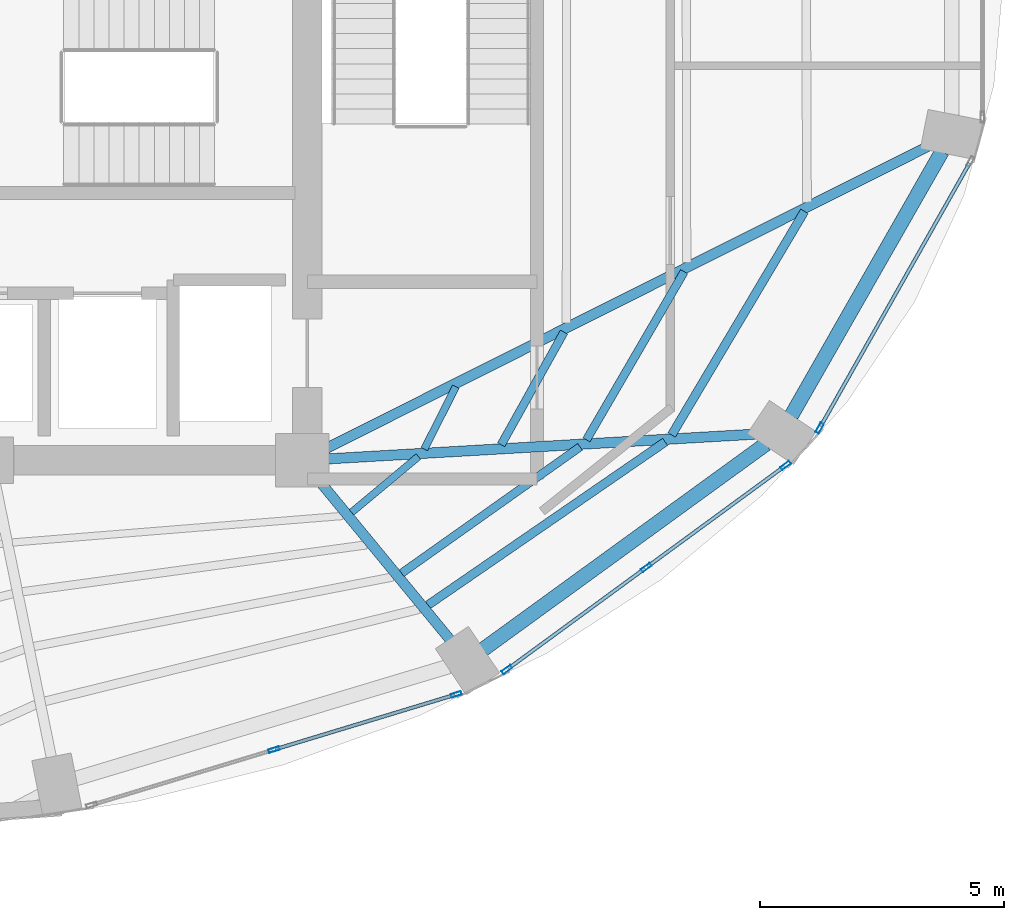
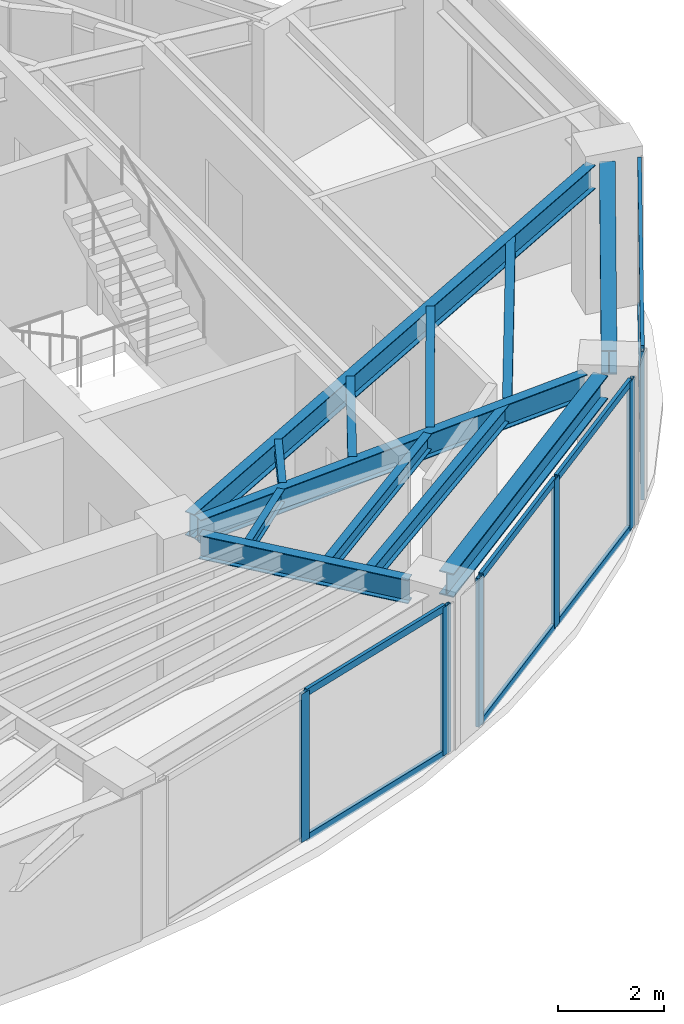
# One storey, part 9 of 19: 14 members, 12 beams, 3 elements without a shape of their own.
"""IFC4 building model written with IfcOpenShell, lengths in metres."""

import ifcopenshell
import ifcopenshell.guid

model = None  # the IFC model being written
_history = None  # IfcOwnerHistory: only IFC2X3 demands one
_inside = {}  # id of a spatial element -> (the spatial element, [elements in it])
_under = {}  # id of a project, library or spatial element -> (it, [spatial elements below it])
_declared = {}  # id of a project -> (the project, [libraries it declares])
_typed = {}  # id of a type object -> (the type object, [elements of that type])
_made_of = {}  # id of a material, layer set ... -> (it, [elements and type objects made of it])


def new_model(schema):
    """Start an empty IFC model of exactly this schema.

    Asked for "IFC4X3", IfcOpenShell would pick the latest addendum, in which some entities
    have other attributes; the version numbers below select the first issue.
    IFC2X3 requires an IfcOwnerHistory on every rooted entity: one is made here for all.
    """
    global model, _history
    if schema == "IFC4X3":
        model = ifcopenshell.file(schema_version=(4, 3, 0, 0))
    else:
        model = ifcopenshell.file(schema=schema)
    _inside.clear()
    _under.clear()
    _declared.clear()
    _typed.clear()
    _made_of.clear()
    _history = None
    if model.schema == "IFC2X3":
        org = make("IfcOrganization", Name="unknown")
        user = make(
            "IfcPersonAndOrganization",
            ThePerson=make("IfcPerson", FamilyName="unknown"),
            TheOrganization=org,
        )
        app = make(
            "IfcApplication",
            ApplicationDeveloper=org,
            Version="unknown",
            ApplicationFullName="unknown",
            ApplicationIdentifier="unknown",
        )
        _history = make(
            "IfcOwnerHistory",
            OwningUser=user,
            OwningApplication=app,
            ChangeAction="ADDED",
            CreationDate=0,
        )
    return model


def make(cls, **values):
    """One entity of the class cls with the attributes given. An attribute that is None is left unset."""
    return model.create_entity(
        cls, **{name: value for name, value in values.items() if value is not None}
    )


def rooted(cls, **values):
    """An entity with a GlobalId (a new one), such as an element, a storey or a relation."""
    return make(cls, GlobalId=ifcopenshell.guid.new(), OwnerHistory=_history, **values)


def si_unit(unit_type, name, prefix=None):
    """IfcSIUnit, for example si_unit("LENGTHUNIT", "METRE", prefix="MILLI")."""
    return make("IfcSIUnit", UnitType=unit_type, Prefix=prefix, Name=name)


def assignment(units):
    """IfcUnitAssignment: the units of a project."""
    return None if units is None else make("IfcUnitAssignment", Units=units)


def point(xyz):
    """IfcCartesianPoint."""
    return None if xyz is None else make("IfcCartesianPoint", Coordinates=xyz)


def direction(xyz):
    """IfcDirection."""
    return None if xyz is None else make("IfcDirection", DirectionRatios=xyz)


def frame(location, z_axis=None, x_axis=None):
    """IfcAxis2Placement3D, a coordinate frame: its origin and axes. An axis left out is left unset."""
    return make(
        "IfcAxis2Placement3D",
        Location=point(location),
        Axis=direction(z_axis),
        RefDirection=direction(x_axis),
    )


def frame_2d(location, x_axis=None):
    """IfcAxis2Placement2D, a coordinate frame in the plane: its origin and x axis."""
    return make(
        "IfcAxis2Placement2D", Location=point(location), RefDirection=direction(x_axis)
    )


def origin():
    """The frame at (0, 0, 0) with its axes left unset."""
    return frame((0.0, 0.0, 0.0))


def origin_2d():
    """The frame at (0, 0) in the plane with its x axis left unset."""
    return frame_2d((0.0, 0.0))


def place(relative_to, where):
    """IfcLocalPlacement: puts the frame where relative to a parent placement (None: the world)."""
    return make(
        "IfcLocalPlacement", PlacementRelTo=relative_to, RelativePlacement=where
    )


def context(
    kind, dimensions, precision=None, world=None, true_north=None, identifier=None
):
    """IfcGeometricRepresentationContext, for example the 3D "Model" context."""
    return make(
        "IfcGeometricRepresentationContext",
        ContextIdentifier=identifier,
        ContextType=kind,
        CoordinateSpaceDimension=dimensions,
        Precision=precision,
        WorldCoordinateSystem=world,
        TrueNorth=true_north,
    )


def subcontext(parent, identifier, kind, view, scale=None):
    """IfcGeometricRepresentationSubContext, for example "Body" below "Model"."""
    return make(
        "IfcGeometricRepresentationSubContext",
        ContextIdentifier=identifier,
        ContextType=kind,
        ParentContext=parent,
        TargetScale=scale,
        TargetView=view,
    )


def project(units=None, contexts=None):
    """IfcProject with its units and contexts."""
    return rooted(
        "IfcProject",
        Name="project",
        RepresentationContexts=contexts,
        UnitsInContext=assignment(units),
    )


def spatial(cls, under=None, at=None, **own):
    """A site, building, storey or space (cls), placed at a placement, below another one or the project."""
    s = rooted(cls, ObjectPlacement=at, **own)
    if under is not None:
        _under.setdefault(under.id(), (under, []))[1].append(s)
    return s


def profile(cls, at=None, kind="AREA", **sizes):
    """A parametric profile (cls). Its sizes go by their IFC names, for example OverallWidth=200.0."""
    return make(cls, ProfileType=kind, Position=at, **sizes)


def hollow_rectangle(**sizes):
    """IfcRectangleHollowProfileDef."""
    return profile("IfcRectangleHollowProfileDef", **sizes)


def i_section(**sizes):
    """IfcIShapeProfileDef."""
    return profile("IfcIShapeProfileDef", **sizes)


def extrude(swept, where, along, depth):
    """IfcExtrudedAreaSolid: the profile swept, set in the frame where, extruded along a direction by depth."""
    return make(
        "IfcExtrudedAreaSolid",
        SweptArea=swept,
        Position=where,
        ExtrudedDirection=direction(along),
        Depth=depth,
    )


def shape(context_of_items, identifier, shape_type, items):
    """IfcShapeRepresentation: the items that make up one representation, for example the "Body"."""
    return make(
        "IfcShapeRepresentation",
        ContextOfItems=context_of_items,
        RepresentationIdentifier=identifier,
        RepresentationType=shape_type,
        Items=items,
    )


def material(Name=None, Category=None):
    """IfcMaterial."""
    return make("IfcMaterial", Name=Name, Category=Category)


def layer(
    of_material, thickness, ventilated=None, Name=None, Category=None, Priority=None
):
    """IfcMaterialLayer: one layer of a wall or slab, of a material (None: an air gap)."""
    return make(
        "IfcMaterialLayer",
        Material=of_material,
        LayerThickness=thickness,
        IsVentilated=ventilated,
        Name=Name,
        Category=Category,
        Priority=Priority,
    )


def layer_set(layers, Name=None):
    """IfcMaterialLayerSet."""
    return make("IfcMaterialLayerSet", MaterialLayers=layers, LayerSetName=Name)


def material_profile(
    of_material, cross_section, Name=None, Category=None, Priority=None
):
    """IfcMaterialProfile: a cross section and its material."""
    return make(
        "IfcMaterialProfile",
        Name=Name,
        Material=of_material,
        Profile=cross_section,
        Priority=Priority,
        Category=Category,
    )


def profile_set(profiles, Name=None, composite=None):
    """IfcMaterialProfileSet."""
    return make(
        "IfcMaterialProfileSet",
        Name=Name,
        MaterialProfiles=profiles,
        CompositeProfile=composite,
    )


def made_of(thing, what):
    """Note that an element or type object is made of a material, layer set ...; save() writes the relation."""
    if what is not None:
        _made_of.setdefault(what.id(), (what, []))[1].append(thing)
    return thing


def type_object(cls, material=None, **own):
    """A type object (cls), such as IfcWallType, which elements share."""
    return made_of(rooted(cls, **own), material)


def element(
    cls,
    number,
    at=None,
    inside=None,
    cuts=None,
    type_object=None,
    material=None,
    context=None,
    identifier="Body",
    shape_type=None,
    held_by="IfcProductDefinitionShape",
    body=None,
    shapes=None,
    **own,
):
    """One element of the class cls, such as IfcWall. Its Tag is "e" and its number.

    at: its placement. inside: the storey or other place that contains it. cuts: it is an
    opening in that element (IfcRelVoidsElement). A single representation is given by context,
    identifier, shape_type and body (its items); several are given by shapes. held_by: the class
    of the entity that holds the representations. save() writes the other relations.
    """
    e = rooted(cls, Tag="e%d" % number, ObjectPlacement=at, **own)
    if body is not None:
        shapes = [shape(context, identifier, shape_type, body)]
    if shapes is not None:
        e.Representation = make(held_by, Representations=shapes)
    if inside is not None:
        _inside.setdefault(inside.id(), (inside, []))[1].append(e)
    if cuts is not None:
        rooted(
            "IfcRelVoidsElement", RelatingBuildingElement=cuts, RelatedOpeningElement=e
        )
    if type_object is not None:
        _typed.setdefault(type_object.id(), (type_object, []))[1].append(e)
    return made_of(e, material)


def aggregate(whole, parts):
    """IfcRelAggregates: a whole, such as a stair, and the parts it consists of."""
    return rooted("IfcRelAggregates", RelatingObject=whole, RelatedObjects=parts)


def save(model, path):
    """Write the relations noted so far, then the file.

    IfcRelAggregates (storeys below a building ...), IfcRelContainedInSpatialStructure (elements
    in a storey), IfcRelDefinesByType, IfcRelAssociatesMaterial and IfcRelDeclares: one each for
    every whole, place, type object, material and project.
    """
    for whole, parts in _under.values():
        aggregate(whole, parts)
    for where, things in _inside.values():
        rooted(
            "IfcRelContainedInSpatialStructure",
            RelatedElements=things,
            RelatingStructure=where,
        )
    for kind, things in _typed.values():
        rooted("IfcRelDefinesByType", RelatedObjects=things, RelatingType=kind)
    for what, things in _made_of.values():
        rooted("IfcRelAssociatesMaterial", RelatedObjects=things, RelatingMaterial=what)
    for by, libraries in _declared.values():
        rooted("IfcRelDeclares", RelatingContext=by, RelatedDefinitions=libraries)
    model.write(path)


model = new_model("IFC4")

# Units and contexts
model_context = context("Model", 3, precision=1e-05, world=origin(), true_north=direction((0.0, 1.0)))
body_context = subcontext(model_context, "Body", "Model", "MODEL_VIEW")
ifc_project = project(units=[si_unit("LENGTHUNIT", "METRE"), si_unit("AREAUNIT", "SQUARE_METRE"), si_unit("VOLUMEUNIT", "CUBIC_METRE"), si_unit("PLANEANGLEUNIT", "RADIAN"), si_unit("MASSUNIT", "GRAM", prefix="KILO")], contexts=[model_context])

# Site, building, storey
site_placement = place(None, origin())
site = spatial("IfcSite", under=ifc_project, at=site_placement, CompositionType="ELEMENT")
building_placement = place(site_placement, origin())
building = spatial("IfcBuilding", under=site, at=building_placement, Name="Lazwardi Medical Tower", CompositionType="ELEMENT")
storey_placement = place(building_placement, frame((0.0, 0.0, 171.1201171875)))
storey = spatial("IfcBuildingStorey", under=building, at=storey_placement, Name="L44", CompositionType="ELEMENT", Elevation=171.1201171875)

# Beams
ifc_material_1 = material(Name="Steel S355", Category="steel")
ifc_material_profile_1 = material_profile(ifc_material_1, i_section(OverallWidth=0.300048828125, OverallDepth=0.550048828125, WebThickness=0.014892578125, FlangeThickness=0.029052734375, at=origin_2d()), Name="HEB 550")
ifc_profile_set_1 = profile_set([ifc_material_profile_1], Name="Steel S355")
beam_type_1 = type_object("IfcBeamType", Name="BM-RB-Z3", PredefinedType="BEAM", material=ifc_profile_set_1)
beam_1_placement = place(storey_placement, frame((49.310302734375, 16.520751953125, 3.15283203125), z_axis=(0.809127570774, 0.587633026824, 0.0), x_axis=(-0.587633026824, 0.809127570774, 0.0)))
element("IfcBeam", 1, at=beam_1_placement, inside=storey, type_object=beam_type_1, Name="Ring beam RB-04 B02 L44", PredefinedType="BEAM", context=body_context, shape_type="SweptSolid", body=[
    extrude(i_section(OverallWidth=0.300048828125, OverallDepth=0.550048828125, WebThickness=0.014892578125, FlangeThickness=0.029052734375, at=origin_2d()), origin(), (0.0, 0.0, 1.0), 7.170166015625),
])
beam_2_placement = place(storey_placement, frame((55.6337890625, 21.316650390625, 3.15283203125), z_axis=(0.495477752551, 0.868620628771, 0.0), x_axis=(-0.868620628771, 0.495477752551, 0.0)))
element("IfcBeam", 2, at=beam_2_placement, inside=storey, type_object=beam_type_1, Name="Ring beam RB-04 B03 L44", PredefinedType="BEAM", context=body_context, shape_type="SweptSolid", body=[
    extrude(i_section(OverallWidth=0.300048828125, OverallDepth=0.550048828125, WebThickness=0.014892578125, FlangeThickness=0.029052734375, at=origin_2d()), origin(), (0.0, 0.0, 1.0), 6.244384765625),
])
ifc_material_profile_2 = material_profile(ifc_material_1, i_section(OverallWidth=0.2099609375, OverallDepth=0.550048828125, WebThickness=0.010986328125, FlangeThickness=0.01708984375, at=origin_2d()), Name="IPE 550")
ifc_profile_set_2 = profile_set([ifc_material_profile_2], Name="Steel S355")
beam_type_2 = type_object("IfcBeamType", Name="BM-RG-W2", PredefinedType="BEAM", material=ifc_profile_set_2)
beam_3_placement = place(storey_placement, frame((48.630615234375, 16.71826171875, 3.15283203125), z_axis=(-0.635555639966, 0.772055068312, 0.0), x_axis=(-0.772055068312, -0.635555639966, 0.0)))
element("IfcBeam", 3, at=beam_3_placement, inside=storey, type_object=beam_type_2, Name="Radial girder RG-03 R02 L44", PredefinedType="BEAM", context=body_context, shape_type="SweptSolid", body=[
    extrude(i_section(OverallWidth=0.2099609375, OverallDepth=0.550048828125, WebThickness=0.010986328125, FlangeThickness=0.01708984375, at=origin_2d()), origin(), (0.0, 0.0, 1.0), 4.233642578125),
])
beam_4_placement = place(storey_placement, frame((54.87646484375, 20.936767578125, 3.15283203125), z_axis=(-0.998330154646, -0.057765927014, 0.0), x_axis=(0.057765927014, -0.998330154646, 0.0)))
element("IfcBeam", 4, at=beam_4_placement, inside=storey, type_object=beam_type_2, Name="Radial girder RG-03 R03 L44", PredefinedType="BEAM", context=body_context, shape_type="SweptSolid", body=[
    extrude(i_section(OverallWidth=0.2099609375, OverallDepth=0.550048828125, WebThickness=0.010986328125, FlangeThickness=0.01708984375, at=origin_2d()), origin(), (0.0, 0.0, 1.0), 8.757080078125),
])
beam_5_placement = place(storey_placement, frame((58.42529296875, 26.837158203125, 3.15283203125), z_axis=(-0.893740468624, -0.448584412061, 0.0), x_axis=(0.448584412061, -0.893740468624, 0.0)))
element("IfcBeam", 5, at=beam_5_placement, inside=storey, type_object=beam_type_2, Name="Radial girder RG-03 R04 L44", PredefinedType="BEAM", context=body_context, shape_type="SweptSolid", body=[
    extrude(i_section(OverallWidth=0.2099609375, OverallDepth=0.550048828125, WebThickness=0.010986328125, FlangeThickness=0.01708984375, at=origin_2d()), origin(), (0.0, 0.0, 1.0), 13.815185546875),
])
ifc_material_profile_3 = material_profile(ifc_material_1, i_section(OverallWidth=0.179931640625, OverallDepth=0.39990234375, WebThickness=0.008544921875, FlangeThickness=0.013427734375, at=origin_2d()), Name="IPE 400")
ifc_profile_set_3 = profile_set([ifc_material_profile_3], Name="Steel S355")
beam_type_3 = type_object("IfcBeamType", Name="BM-SJ-01", PredefinedType="JOIST", material=ifc_profile_set_3)
beam_6_placement = place(storey_placement, frame((48.1748046875, 17.4287109375, 3.227783203125), z_axis=(0.823932256005, 0.566688307198, 0.0), x_axis=(-0.566688307198, 0.823932256005, 0.0)))
element("IfcBeam", 6, at=beam_6_placement, inside=storey, type_object=beam_type_3, Name="Secondary joist SJ-01 R1 B02 L44", PredefinedType="JOIST", context=body_context, shape_type="SweptSolid", body=[
    extrude(i_section(OverallWidth=0.179931640625, OverallDepth=0.39990234375, WebThickness=0.008544921875, FlangeThickness=0.013427734375, at=origin_2d()), origin(), (0.0, 0.0, 1.0), 5.91162109375),
])
beam_7_placement = place(storey_placement, frame((53.17919921875, 20.921630859375, 3.227783203125), z_axis=(0.510569396963, 0.859836548935, 0.0), x_axis=(-0.859836548935, 0.510569396963, 0.0)))
element("IfcBeam", 7, at=beam_7_placement, inside=storey, type_object=beam_type_3, Name="Secondary joist SJ-01 R1 B03 L44", PredefinedType="JOIST", context=body_context, shape_type="SweptSolid", body=[
    extrude(i_section(OverallWidth=0.179931640625, OverallDepth=0.39990234375, WebThickness=0.008544921875, FlangeThickness=0.013427734375, at=origin_2d()), origin(), (0.0, 0.0, 1.0), 5.33837890625),
])
ifc_material_profile_4 = material_profile(ifc_material_1, i_section(OverallWidth=0.169921875, OverallDepth=0.360107421875, WebThickness=0.008056640625, FlangeThickness=0.0126953125, at=origin_2d()), Name="IPE 360")
ifc_profile_set_4 = profile_set([ifc_material_profile_4], Name="Steel S355")
beam_type_4 = type_object("IfcBeamType", Name="BM-SJ-02", PredefinedType="JOIST", material=ifc_profile_set_4)
beam_8_placement = place(storey_placement, frame((47.635986328125, 18.08349609375, 3.247802734375), z_axis=(0.816108950798, 0.577898070967, 0.0), x_axis=(-0.577898070967, 0.816108950798, 0.0)))
element("IfcBeam", 8, at=beam_8_placement, inside=storey, type_object=beam_type_4, Name="Secondary joist SJ-02 R2 B02 L44", PredefinedType="JOIST", context=body_context, shape_type="SweptSolid", body=[
    extrude(i_section(OverallWidth=0.169921875, OverallDepth=0.360107421875, WebThickness=0.008056640625, FlangeThickness=0.0126953125, at=origin_2d()), origin(), (0.0, 0.0, 1.0), 4.487060546875),
])
beam_9_placement = place(storey_placement, frame((51.4296875, 20.82080078125, 3.247802734375), z_axis=(0.502665102216, 0.864481228839, 0.0), x_axis=(-0.864481228839, 0.502665102216, 0.0)))
element("IfcBeam", 9, at=beam_9_placement, inside=storey, type_object=beam_type_4, Name="Secondary joist SJ-02 R2 B03 L44", PredefinedType="JOIST", context=body_context, shape_type="SweptSolid", body=[
    extrude(i_section(OverallWidth=0.169921875, OverallDepth=0.360107421875, WebThickness=0.008056640625, FlangeThickness=0.0126953125, at=origin_2d()), origin(), (0.0, 0.0, 1.0), 3.991943359375),
])
beam_10_placement = place(storey_placement, frame((49.6796875, 20.720703125, 3.247802734375), z_axis=(0.487099444348, 0.87334651274, 0.0), x_axis=(-0.87334651274, 0.487099444348, 0.0)))
element("IfcBeam", 10, at=beam_10_placement, inside=storey, type_object=beam_type_4, Name="Secondary joist SJ-02 R3 B03 L44", PredefinedType="JOIST", context=body_context, shape_type="SweptSolid", body=[
    extrude(i_section(OverallWidth=0.169921875, OverallDepth=0.360107421875, WebThickness=0.008056640625, FlangeThickness=0.0126953125, at=origin_2d()), origin(), (0.0, 0.0, 1.0), 2.64599609375),
])
ifc_material_profile_5 = material_profile(ifc_material_1, i_section(OverallWidth=0.14990234375, OverallDepth=0.300048828125, WebThickness=0.007080078125, FlangeThickness=0.0107421875, at=origin_2d()), Name="IPE 300")
ifc_profile_set_5 = profile_set([ifc_material_profile_5], Name="Steel S355")
beam_type_5 = type_object("IfcBeamType", Name="BM-SJ-03", PredefinedType="JOIST", material=ifc_profile_set_5)
beam_11_placement = place(storey_placement, frame((46.608642578125, 19.331787109375, 3.27783203125), z_axis=(0.767437193893, 0.641124132621, 0.0), x_axis=(-0.641124132621, 0.767437193893, 0.0)))
element("IfcBeam", 11, at=beam_11_placement, inside=storey, type_object=beam_type_5, Name="Secondary joist SJ-03 R4 B02 L44", PredefinedType="JOIST", context=body_context, shape_type="SweptSolid", body=[
    extrude(i_section(OverallWidth=0.14990234375, OverallDepth=0.300048828125, WebThickness=0.007080078125, FlangeThickness=0.0107421875, at=origin_2d()), origin(), (0.0, 0.0, 1.0), 1.787841796875),
])
beam_12_placement = place(storey_placement, frame((48.1025390625, 20.631591796875, 3.27783203125), z_axis=(0.450406075332, 0.892823816497, 0.0), x_axis=(-0.892823816497, 0.450406075332, 0.0)))
element("IfcBeam", 12, at=beam_12_placement, inside=storey, type_object=beam_type_5, Name="Secondary joist SJ-03 R4 B03 L44", PredefinedType="JOIST", context=body_context, shape_type="SweptSolid", body=[
    extrude(i_section(OverallWidth=0.14990234375, OverallDepth=0.300048828125, WebThickness=0.007080078125, FlangeThickness=0.0107421875, at=origin_2d()), origin(), (0.0, 0.0, 1.0), 1.4365234375),
])

# Curtain wall, members
ifc_material_2 = material(Name="Anodised bronze aluminium and solar control glazing", Category="aluminium")
ifc_layer = layer(ifc_material_2, 0.195068359375)
ifc_layer_set = layer_set([ifc_layer], Name="Anodised bronze aluminium and solar control glazing")
curtain_wall_type = type_object("IfcCurtainWallType", Name="CW-SYS-03", PredefinedType="NOTDEFINED", material=ifc_layer_set)
curtain_wall_1_placement = place(storey_placement, origin())
curtain_wall_1 = element("IfcCurtainWall", 13, at=curtain_wall_1_placement, inside=storey, type_object=curtain_wall_type, Name="L44 Unitised bronze curtain wall CW-03", PredefinedType="NOTDEFINED")
ifc_material_3 = material(Name="Anodised bronze aluminium", Category="aluminium")
ifc_material_profile_6 = material_profile(ifc_material_3, hollow_rectangle(XDim=0.074951171875, YDim=0.219970703125, WallThickness=0.00390625, at=origin_2d()), Name="ALU-MULLION 220x75x4")
ifc_profile_set_6 = profile_set([ifc_material_profile_6], Name="Anodised bronze aluminium")
member_type_1 = type_object("IfcMemberType", Name="CW-MUL-01", PredefinedType="MULLION", material=ifc_profile_set_6)
member_1_placement = place(storey_placement, frame((45.01513671875, 14.461181640625, 0.0), z_axis=(0.0, 0.0, 1.0), x_axis=(-0.290280785441, 0.956941516292, 0.0)))
member_1 = element("IfcMember", 14, at=member_1_placement, type_object=member_type_1, Name="CW-03 mullion 2", PredefinedType="MULLION", context=body_context, shape_type="SweptSolid", body=[
    extrude(hollow_rectangle(XDim=0.074951171875, YDim=0.219970703125, WallThickness=0.00390625, at=origin_2d()), origin(), (0.0, 0.0, 1.0), 3.427978515625),
])
member_2_placement = place(storey_placement, frame((48.758056640625, 15.5966796875, 0.0), z_axis=(0.0, 0.0, 1.0), x_axis=(-0.290280785441, 0.956941516292, 0.0)))
member_2 = element("IfcMember", 15, at=member_2_placement, type_object=member_type_1, Name="CW-03 mullion 3", PredefinedType="MULLION", context=body_context, shape_type="SweptSolid", body=[
    extrude(hollow_rectangle(XDim=0.074951171875, YDim=0.219970703125, WallThickness=0.00390625, at=origin_2d()), origin(), (0.0, 0.0, 1.0), 3.427978515625),
])

curtain_wall_2_placement = place(storey_placement, origin())
curtain_wall_2 = element("IfcCurtainWall", 16, at=curtain_wall_2_placement, inside=storey, type_object=curtain_wall_type, Name="L44 Unitised bronze curtain wall CW-03", PredefinedType="NOTDEFINED")
member_3_placement = place(storey_placement, frame((49.795654296875, 16.105224609375, 0.0), z_axis=(0.0, 0.0, 1.0), x_axis=(-0.590833862635, 0.806793249082, 0.0)))
member_3 = element("IfcMember", 17, at=member_3_placement, type_object=member_type_1, Name="CW-03 mullion 1", PredefinedType="MULLION", context=body_context, shape_type="SweptSolid", body=[
    extrude(hollow_rectangle(XDim=0.074951171875, YDim=0.219970703125, WallThickness=0.00390625, at=origin_2d()), origin(), (0.0, 0.0, 1.0), 3.427978515625),
])
member_4_placement = place(storey_placement, frame((52.65771484375, 18.201171875, 0.0), z_axis=(0.0, 0.0, 1.0), x_axis=(-0.590833862635, 0.806793249082, 0.0)))
member_4 = element("IfcMember", 18, at=member_4_placement, type_object=member_type_1, Name="CW-03 mullion 2", PredefinedType="MULLION", context=body_context, shape_type="SweptSolid", body=[
    extrude(hollow_rectangle(XDim=0.074951171875, YDim=0.219970703125, WallThickness=0.00390625, at=origin_2d()), origin(), (0.0, 0.0, 1.0), 3.427978515625),
])
member_5_placement = place(storey_placement, frame((55.519775390625, 20.297119140625, 0.0), z_axis=(0.0, 0.0, 1.0), x_axis=(-0.590833862635, 0.806793249082, 0.0)))
member_5 = element("IfcMember", 19, at=member_5_placement, type_object=member_type_1, Name="CW-03 mullion 3", PredefinedType="MULLION", context=body_context, shape_type="SweptSolid", body=[
    extrude(hollow_rectangle(XDim=0.074951171875, YDim=0.219970703125, WallThickness=0.00390625, at=origin_2d()), origin(), (0.0, 0.0, 1.0), 3.427978515625),
])

# Curtain wall, member
curtain_wall_3_placement = place(storey_placement, origin())
curtain_wall_3 = element("IfcCurtainWall", 20, at=curtain_wall_3_placement, inside=storey, type_object=curtain_wall_type, Name="L44 Unitised bronze curtain wall CW-03", PredefinedType="NOTDEFINED")
member_6_placement = place(storey_placement, frame((56.217529296875, 21.063232421875, 0.0), z_axis=(0.0, 0.0, 1.0), x_axis=(-0.870418989303, 0.492311672683, 0.0)))
member_6 = element("IfcMember", 21, at=member_6_placement, type_object=member_type_1, Name="CW-03 mullion 1", PredefinedType="MULLION", context=body_context, shape_type="SweptSolid", body=[
    extrude(hollow_rectangle(XDim=0.074951171875, YDim=0.219970703125, WallThickness=0.00390625, at=origin_2d()), origin(), (0.0, 0.0, 1.0), 3.427978515625),
])

# Member
ifc_material_profile_7 = material_profile(ifc_material_3, hollow_rectangle(XDim=0.074951171875, YDim=0.159912109375, WallThickness=0.00390625, at=origin_2d()), Name="ALU-TRANSOM 160x75x4")
ifc_profile_set_7 = profile_set([ifc_material_profile_7], Name="Anodised bronze aluminium")
member_type_2 = type_object("IfcMemberType", Name="CW-TRN-01", PredefinedType="USERDEFINED", material=ifc_profile_set_7)
member_7_placement = place(storey_placement, frame((45.051025390625, 14.47216796875, 0.037353515625), z_axis=(0.956930154175, 0.290318239233, 0.0), x_axis=(-0.290318239233, 0.956930154175, 0.0)))
member_7 = element("IfcMember", 22, at=member_7_placement, type_object=member_type_2, Name="CW-03 transom 2.1", ObjectType="TRANSOM", PredefinedType="USERDEFINED", context=body_context, shape_type="SweptSolid", body=[
    extrude(hollow_rectangle(XDim=0.074951171875, YDim=0.159912109375, WallThickness=0.00390625, at=origin_2d()), origin(), (0.0, 0.0, 1.0), 3.83642578125),
])

member_8_placement = place(storey_placement, frame((45.051025390625, 14.47216796875, 3.390380859375), z_axis=(0.956930154175, 0.290318239233, 0.0), x_axis=(-0.290318239233, 0.956930154175, 0.0)))
member_8 = element("IfcMember", 23, at=member_8_placement, type_object=member_type_2, Name="CW-03 transom 2.2", ObjectType="TRANSOM", PredefinedType="USERDEFINED", context=body_context, shape_type="SweptSolid", body=[
    extrude(hollow_rectangle(XDim=0.074951171875, YDim=0.159912109375, WallThickness=0.00390625, at=origin_2d()), origin(), (0.0, 0.0, 1.0), 3.83642578125),
])

aggregate(curtain_wall_1, [member_1, member_2, member_7, member_8])

member_9_placement = place(storey_placement, frame((49.825927734375, 16.127197265625, 0.037353515625), z_axis=(0.806773646358, 0.590860629542, 0.0), x_axis=(-0.590860629542, 0.806773646358, 0.0)))
member_9 = element("IfcMember", 24, at=member_9_placement, type_object=member_type_2, Name="CW-03 transom 1.1", ObjectType="TRANSOM", PredefinedType="USERDEFINED", context=body_context, shape_type="SweptSolid", body=[
    extrude(hollow_rectangle(XDim=0.074951171875, YDim=0.159912109375, WallThickness=0.00390625, at=origin_2d()), origin(), (0.0, 0.0, 1.0), 3.472412109375),
])

member_10_placement = place(storey_placement, frame((49.825927734375, 16.127197265625, 3.390380859375), z_axis=(0.806773646358, 0.590860629542, 0.0), x_axis=(-0.590860629542, 0.806773646358, 0.0)))
member_10 = element("IfcMember", 25, at=member_10_placement, type_object=member_type_2, Name="CW-03 transom 1.2", ObjectType="TRANSOM", PredefinedType="USERDEFINED", context=body_context, shape_type="SweptSolid", body=[
    extrude(hollow_rectangle(XDim=0.074951171875, YDim=0.159912109375, WallThickness=0.00390625, at=origin_2d()), origin(), (0.0, 0.0, 1.0), 3.472412109375),
])

member_11_placement = place(storey_placement, frame((52.68798828125, 18.22314453125, 0.037353515625), z_axis=(0.806773646358, 0.590860629542, 0.0), x_axis=(-0.590860629542, 0.806773646358, 0.0)))
member_11 = element("IfcMember", 26, at=member_11_placement, type_object=member_type_2, Name="CW-03 transom 2.1", ObjectType="TRANSOM", PredefinedType="USERDEFINED", context=body_context, shape_type="SweptSolid", body=[
    extrude(hollow_rectangle(XDim=0.074951171875, YDim=0.159912109375, WallThickness=0.00390625, at=origin_2d()), origin(), (0.0, 0.0, 1.0), 3.472412109375),
])

member_12_placement = place(storey_placement, frame((52.68798828125, 18.22314453125, 3.390380859375), z_axis=(0.806773646358, 0.590860629542, 0.0), x_axis=(-0.590860629542, 0.806773646358, 0.0)))
member_12 = element("IfcMember", 27, at=member_12_placement, type_object=member_type_2, Name="CW-03 transom 2.2", ObjectType="TRANSOM", PredefinedType="USERDEFINED", context=body_context, shape_type="SweptSolid", body=[
    extrude(hollow_rectangle(XDim=0.074951171875, YDim=0.159912109375, WallThickness=0.00390625, at=origin_2d()), origin(), (0.0, 0.0, 1.0), 3.472412109375),
])

aggregate(curtain_wall_2, [member_3, member_4, member_5, member_9, member_10, member_11, member_12])

member_13_placement = place(storey_placement, frame((56.236083984375, 21.095947265625, 0.037353515625), z_axis=(0.492322860598, 0.870412661289, 0.0), x_axis=(-0.870412661289, 0.492322860598, 0.0)))
member_13 = element("IfcMember", 28, at=member_13_placement, type_object=member_type_2, Name="CW-03 transom 1.1", ObjectType="TRANSOM", PredefinedType="USERDEFINED", context=body_context, shape_type="SweptSolid", body=[
    extrude(hollow_rectangle(XDim=0.074951171875, YDim=0.159912109375, WallThickness=0.00390625, at=origin_2d()), origin(), (0.0, 0.0, 1.0), 6.20849609375),
])

member_14_placement = place(storey_placement, frame((56.236083984375, 21.095947265625, 3.390380859375), z_axis=(0.492322860598, 0.870412661289, 0.0), x_axis=(-0.870412661289, 0.492322860598, 0.0)))
member_14 = element("IfcMember", 29, at=member_14_placement, type_object=member_type_2, Name="CW-03 transom 1.2", ObjectType="TRANSOM", PredefinedType="USERDEFINED", context=body_context, shape_type="SweptSolid", body=[
    extrude(hollow_rectangle(XDim=0.074951171875, YDim=0.159912109375, WallThickness=0.00390625, at=origin_2d()), origin(), (0.0, 0.0, 1.0), 6.20849609375),
])

aggregate(curtain_wall_3, [member_6, member_13, member_14])

save(model, "model.ifc")
